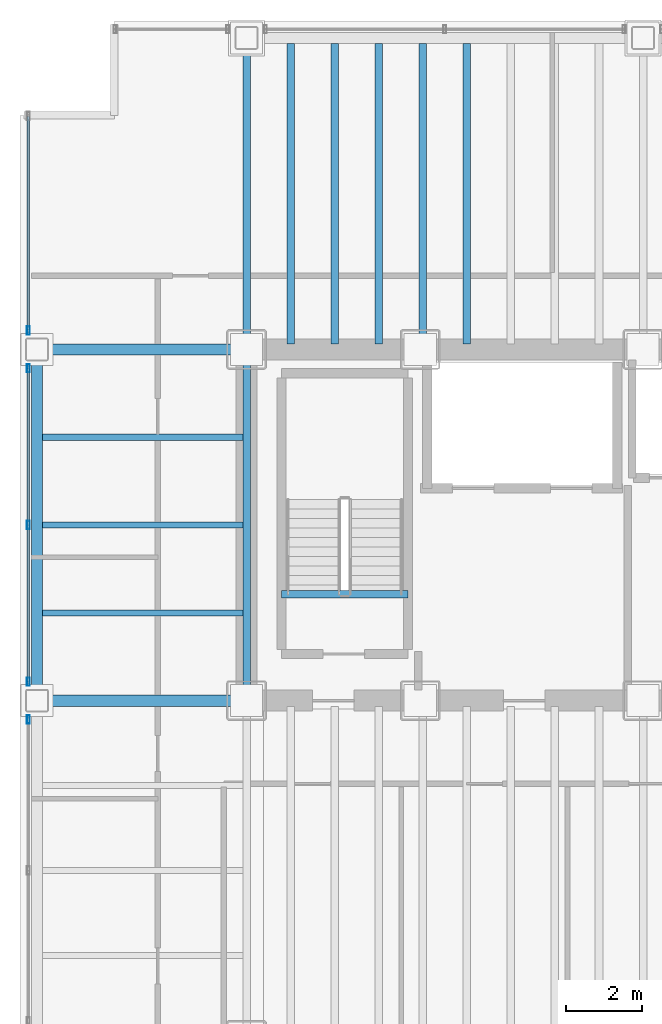
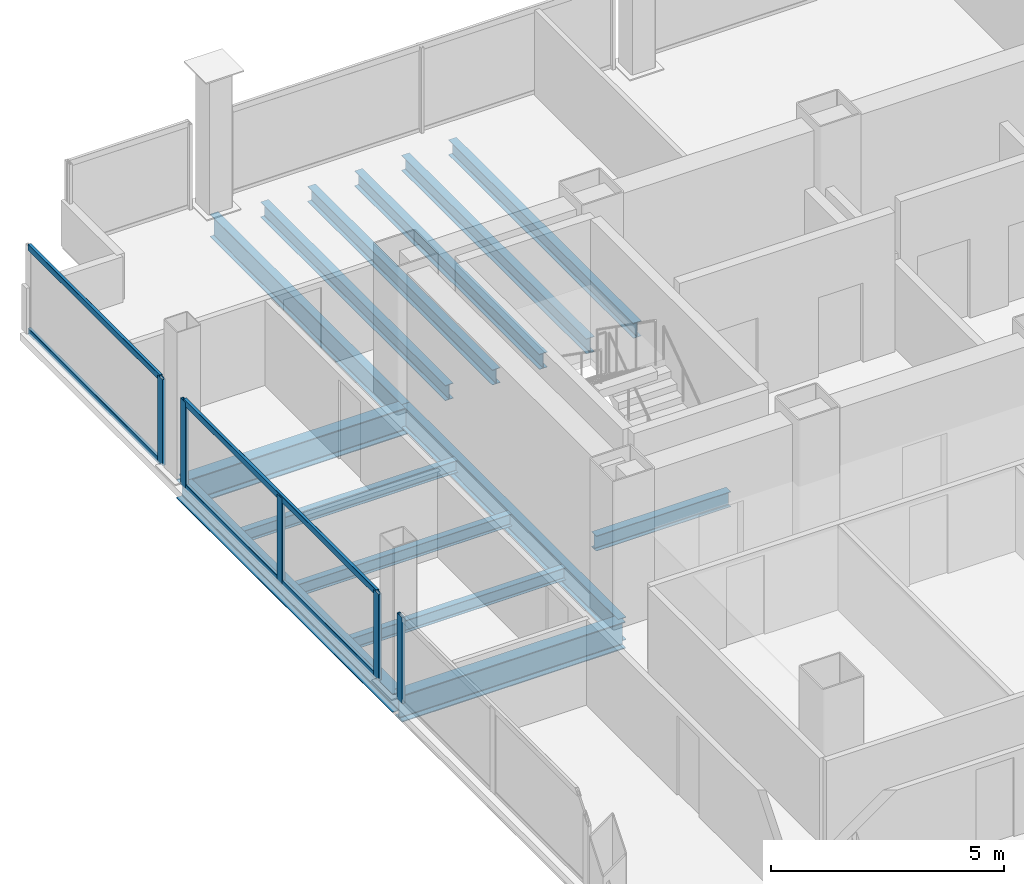
# One storey, part 6 of 21: 14 beams, 9 members, 3 elements without a shape of their own.
"""IFC4 building model written with IfcOpenShell, lengths in metres."""

from ifc_helpers import new_model, si_unit, direction, frame, origin, origin_2d, place, context, subcontext, project, spatial, hollow_rectangle, i_section, extrude, material, material_profile, profile_set, type_object, element, aggregate, save


model = new_model("IFC4")

# Units and contexts
model_context = context("Model", 3, precision=1e-05, world=origin(), true_north=direction((0.0, 1.0)))
body_context = subcontext(model_context, "Body", "Model", "MODEL_VIEW")
ifc_project = project(units=[si_unit("LENGTHUNIT", "METRE"), si_unit("AREAUNIT", "SQUARE_METRE"), si_unit("VOLUMEUNIT", "CUBIC_METRE"), si_unit("PLANEANGLEUNIT", "RADIAN"), si_unit("MASSUNIT", "GRAM", prefix="KILO")], contexts=[model_context])

# Site, building, storey
site_placement = place(None, origin())
site = spatial("IfcSite", under=ifc_project, at=site_placement, CompositionType="ELEMENT")
building_placement = place(site_placement, origin())
building = spatial("IfcBuilding", under=site, at=building_placement, Name="Noeulbin Bourse Tower", CompositionType="ELEMENT")
storey_placement = place(building_placement, frame((0.0, 0.0, 77.199951171875)))
storey = spatial("IfcBuildingStorey", under=building, at=storey_placement, Name="L19", CompositionType="ELEMENT", Elevation=77.199951171875)

# Beams
ifc_material_1 = material(Name="Steel S355", Category="steel")
ifc_material_profile_1 = material_profile(ifc_material_1, i_section(OverallWidth=0.199951171875, OverallDepth=0.60009765625, WebThickness=0.010986328125, FlangeThickness=0.01708984375, FilletRadius=0.02197265625, at=origin_2d()), Name="H-600x200x11x17", Category="LoadBearing")
ifc_profile_set_1 = profile_set([ifc_material_profile_1], Name="Steel S355")
beam_type_1 = type_object("IfcBeamType", Name="BM-GRD-600", PredefinedType="USERDEFINED", material=ifc_profile_set_1)
beam_1_placement = place(storey_placement, frame((13.5, 29.0, -0.47998046875), z_axis=(0.0, 1.0, 0.0), x_axis=(-1.0, 0.0, 0.0)))
element("IfcBeam", 1, at=beam_1_placement, inside=storey, type_object=beam_type_1, Name="Tower Primary Girder NS L19-1.3", ObjectType="GIRDER", PredefinedType="USERDEFINED", context=body_context, shape_type="SweptSolid", body=[
    extrude(i_section(OverallWidth=0.199951171875, OverallDepth=0.60009765625, WebThickness=0.010986328125, FlangeThickness=0.01708984375, FilletRadius=0.02197265625, at=origin_2d()), origin(), (0.0, 0.0, 1.0), 9.300048828125),
])
beam_2_placement = place(storey_placement, frame((13.5, 38.300048828125, -0.47998046875), z_axis=(0.0, 1.0, 0.0), x_axis=(-1.0, 0.0, 0.0)))
element("IfcBeam", 2, at=beam_2_placement, inside=storey, type_object=beam_type_1, Name="Tower Primary Girder NS L19-1.4", ObjectType="GIRDER", PredefinedType="USERDEFINED", context=body_context, shape_type="SweptSolid", body=[
    extrude(i_section(OverallWidth=0.199951171875, OverallDepth=0.60009765625, WebThickness=0.010986328125, FlangeThickness=0.01708984375, FilletRadius=0.02197265625, at=origin_2d()), origin(), (0.0, 0.0, 1.0), 8.25),
])
ifc_material_profile_2 = material_profile(ifc_material_1, i_section(OverallWidth=0.300048828125, OverallDepth=0.699951171875, WebThickness=0.012939453125, FlangeThickness=0.02392578125, FilletRadius=0.02392578125, at=origin_2d()), Name="H-700x300x13x24", Category="LoadBearing")
ifc_profile_set_2 = profile_set([ifc_material_profile_2], Name="Steel S355")
beam_type_2 = type_object("IfcBeamType", Name="BM-GRD-700", PredefinedType="USERDEFINED", material=ifc_profile_set_2)
for number, where, z_axis, x_axis, name in (
    (3, (7.949951171875, 29.0, -0.530029296875), (1.0, 0.0, 0.0), (0.0, 1.0, 0.0), "Tower Primary Girder EW L19-2.1"),
    (4, (7.949951171875, 38.300048828125, -0.530029296875), (1.0, 0.0, 0.0), (0.0, 1.0, 0.0), "Tower Primary Girder EW L19-3.1"),
):
    element("IfcBeam", number, at=place(storey_placement, frame(where, z_axis=z_axis, x_axis=x_axis)), inside=storey, type_object=beam_type_2, Name=name, ObjectType="GIRDER", PredefinedType="USERDEFINED", context=body_context, shape_type="SweptSolid", body=[
        extrude(i_section(OverallWidth=0.300048828125, OverallDepth=0.699951171875, WebThickness=0.012939453125, FlangeThickness=0.02392578125, FilletRadius=0.02392578125, at=origin_2d()), origin(), (0.0, 0.0, 1.0), 5.550048828125),
    ])
ifc_material_profile_3 = material_profile(ifc_material_1, i_section(OverallWidth=0.159912109375, OverallDepth=0.320068359375, WebThickness=0.006591796875, FlangeThickness=0.010009765625, FilletRadius=0.012939453125, at=origin_2d()), Name="H-320x160x6.5x10", Category="LoadBearing")
ifc_profile_set_3 = profile_set([ifc_material_profile_3], Name="Steel S355")
beam_type_3 = type_object("IfcBeamType", Name="BM-JST-320", PredefinedType="JOIST", material=ifc_profile_set_3)
for number, where, z_axis, x_axis, name in (
    (5, (8.10009765625, 31.324951171875, -0.33984375), (1.0, 0.0, 0.0), (0.0, 1.0, 0.0), "Wing Composite Joist L19-W73"),
    (6, (8.10009765625, 33.64990234375, -0.33984375), (1.0, 0.0, 0.0), (0.0, 1.0, 0.0), "Wing Composite Joist L19-W74"),
    (7, (8.10009765625, 35.97509765625, -0.33984375), (1.0, 0.0, 0.0), (0.0, 1.0, 0.0), "Wing Composite Joist L19-W75"),
):
    element("IfcBeam", number, at=place(storey_placement, frame(where, z_axis=z_axis, x_axis=x_axis)), inside=storey, type_object=beam_type_3, Name=name, PredefinedType="JOIST", context=body_context, shape_type="SweptSolid", body=[
        extrude(i_section(OverallWidth=0.159912109375, OverallDepth=0.320068359375, WebThickness=0.006591796875, FlangeThickness=0.010009765625, FilletRadius=0.012939453125, at=origin_2d()), origin(), (0.0, 0.0, 1.0), 5.2998046875),
    ])
ifc_material_profile_4 = material_profile(ifc_material_1, i_section(OverallWidth=0.199951171875, OverallDepth=0.39990234375, WebThickness=0.008056640625, FlangeThickness=0.012939453125, FilletRadius=0.01611328125, at=origin_2d()), Name="H-400x200x8x13", Category="LoadBearing")
ifc_profile_set_4 = profile_set([ifc_material_profile_4], Name="Steel S355")
beam_type_4 = type_object("IfcBeamType", Name="BM-SEC-400", PredefinedType="BEAM", material=ifc_profile_set_4)
for number, where, z_axis, x_axis, name in (
    (8, (14.666748046875, 38.449951171875, -0.3798828125), (0.0, 1.0, 0.0), (-1.0, 0.0, 0.0), "Tower Composite Joist L19-03"),
    (9, (15.833251953125, 38.449951171875, -0.3798828125), (0.0, 1.0, 0.0), (-1.0, 0.0, 0.0), "Tower Composite Joist L19-06"),
    (10, (17.0, 38.449951171875, -0.3798828125), (0.0, 1.0, 0.0), (-1.0, 0.0, 0.0), "Tower Composite Joist L19-09"),
    (11, (18.166748046875, 38.449951171875, -0.3798828125), (0.0, 1.0, 0.0), (-1.0, 0.0, 0.0), "Tower Composite Joist L19-12"),
    (12, (19.333251953125, 38.449951171875, -0.3798828125), (0.0, 1.0, 0.0), (-1.0, 0.0, 0.0), "Tower Composite Joist L19-15"),
):
    element("IfcBeam", number, at=place(storey_placement, frame(where, z_axis=z_axis, x_axis=x_axis)), inside=storey, type_object=beam_type_4, Name=name, PredefinedType="BEAM", context=body_context, shape_type="SweptSolid", body=[
        extrude(i_section(OverallWidth=0.199951171875, OverallDepth=0.39990234375, WebThickness=0.008056640625, FlangeThickness=0.012939453125, FilletRadius=0.01611328125, at=origin_2d()), origin(), (0.0, 0.0, 1.0), 7.949951171875),
    ])
beam_3_placement = place(storey_placement, frame((14.429931640625, 31.820068359375, -0.199951171875), z_axis=(1.0, 0.0, 0.0), x_axis=(0.0, 1.0, 0.0)))
element("IfcBeam", 13, at=beam_3_placement, inside=storey, type_object=beam_type_4, Name="Stair Threshold Trimmer Beam ST1-L19", PredefinedType="BEAM", context=body_context, shape_type="SweptSolid", body=[
    extrude(i_section(OverallWidth=0.199951171875, OverallDepth=0.39990234375, WebThickness=0.008056640625, FlangeThickness=0.012939453125, FilletRadius=0.01611328125, at=origin_2d()), origin(), (0.0, 0.0, 1.0), 3.340087890625),
])
ifc_material_profile_5 = material_profile(ifc_material_1, i_section(OverallWidth=0.300048828125, OverallDepth=0.488037109375, WebThickness=0.010986328125, FlangeThickness=0.01806640625, FilletRadius=0.02197265625, at=origin_2d()), Name="H-488x300x11x18", Category="LoadBearing")
ifc_profile_set_5 = profile_set([ifc_material_profile_5], Name="Steel S355")
beam_type_5 = type_object("IfcBeamType", Name="BM-SPN-488", PredefinedType="SPANDREL", material=ifc_profile_set_5)
beam_4_placement = place(storey_placement, frame((7.949951171875, 29.0, -0.424072265625), z_axis=(0.0, 1.0, 0.0), x_axis=(-1.0, 0.0, 0.0)))
element("IfcBeam", 14, at=beam_4_placement, inside=storey, type_object=beam_type_5, Name="West Spandrel L19-2", PredefinedType="SPANDREL", context=body_context, shape_type="SweptSolid", body=[
    extrude(i_section(OverallWidth=0.300048828125, OverallDepth=0.488037109375, WebThickness=0.010986328125, FlangeThickness=0.01806640625, FilletRadius=0.02197265625, at=origin_2d()), origin(), (0.0, 0.0, 1.0), 9.300048828125),
])

# Curtain wall, member
ifc_material_2 = material(Name="Dark Solar-Control Double Glazing", Category="glass")
curtain_wall_type = type_object("IfcCurtainWallType", Name="CW-SYS-2", PredefinedType="NOTDEFINED", material=ifc_material_2)
curtain_wall_1_placement = place(storey_placement, origin())
curtain_wall_1 = element("IfcCurtainWall", 15, at=curtain_wall_1_placement, inside=storey, type_object=curtain_wall_type, Name="Unitised Curtain Wall CW-L19-W-S2", PredefinedType="NOTDEFINED")
ifc_material_3 = material(Name="Anodised Aluminium 6063-T6", Category="aluminium")
ifc_material_profile_6 = material_profile(ifc_material_3, hollow_rectangle(XDim=0.074951171875, YDim=0.219970703125, WallThickness=0.0048828125, InnerFilletRadius=0.00244140625, OuterFilletRadius=0.0048828125, at=origin_2d()), Name="ALU-MULL-75x220x5", Category="LoadBearing")
ifc_profile_set_6 = profile_set([ifc_material_profile_6], Name="Anodised Aluminium 6063-T6")
member_type_1 = type_object("IfcMemberType", Name="CW-SYS-2-MUL", PredefinedType="MULLION", material=ifc_profile_set_6)
member_1_placement = place(storey_placement, frame((7.719970703125, 28.5, -0.02001953125), z_axis=(0.0, 0.0, 1.0), x_axis=(1.0, 0.0, 0.0)))
member_1 = element("IfcMember", 16, at=member_1_placement, type_object=member_type_1, Name="Curtain Wall Mullion CW-L19-W-S2-M02", PredefinedType="MULLION", context=body_context, shape_type="SweptSolid", body=[
    extrude(hollow_rectangle(XDim=0.074951171875, YDim=0.219970703125, WallThickness=0.0048828125, InnerFilletRadius=0.00244140625, OuterFilletRadius=0.0048828125, at=origin_2d()), origin(), (0.0, 0.0, 1.0), 2.260009765625),
])
aggregate(curtain_wall_1, [member_1])

# Curtain wall, members
curtain_wall_2_placement = place(storey_placement, origin())
curtain_wall_2 = element("IfcCurtainWall", 17, at=curtain_wall_2_placement, inside=storey, type_object=curtain_wall_type, Name="Unitised Curtain Wall CW-L19-W-S3", PredefinedType="NOTDEFINED")
member_2_placement = place(storey_placement, frame((7.719970703125, 29.5, -0.02001953125), z_axis=(0.0, 0.0, 1.0), x_axis=(1.0, 0.0, 0.0)))
member_2 = element("IfcMember", 18, at=member_2_placement, type_object=member_type_1, Name="Curtain Wall Mullion CW-L19-W-S3-M00", PredefinedType="MULLION", context=body_context, shape_type="SweptSolid", body=[
    extrude(hollow_rectangle(XDim=0.074951171875, YDim=0.219970703125, WallThickness=0.0048828125, InnerFilletRadius=0.00244140625, OuterFilletRadius=0.0048828125, at=origin_2d()), origin(), (0.0, 0.0, 1.0), 2.260009765625),
])
member_3_placement = place(storey_placement, frame((7.719970703125, 33.64990234375, -0.02001953125), z_axis=(0.0, 0.0, 1.0), x_axis=(1.0, 0.0, 0.0)))
member_3 = element("IfcMember", 19, at=member_3_placement, type_object=member_type_1, Name="Curtain Wall Mullion CW-L19-W-S3-M01", PredefinedType="MULLION", context=body_context, shape_type="SweptSolid", body=[
    extrude(hollow_rectangle(XDim=0.074951171875, YDim=0.219970703125, WallThickness=0.0048828125, InnerFilletRadius=0.00244140625, OuterFilletRadius=0.0048828125, at=origin_2d()), origin(), (0.0, 0.0, 1.0), 2.260009765625),
])
member_4_placement = place(storey_placement, frame((7.719970703125, 37.800048828125, -0.02001953125), z_axis=(0.0, 0.0, 1.0), x_axis=(1.0, 0.0, 0.0)))
member_4 = element("IfcMember", 20, at=member_4_placement, type_object=member_type_1, Name="Curtain Wall Mullion CW-L19-W-S3-M02", PredefinedType="MULLION", context=body_context, shape_type="SweptSolid", body=[
    extrude(hollow_rectangle(XDim=0.074951171875, YDim=0.219970703125, WallThickness=0.0048828125, InnerFilletRadius=0.00244140625, OuterFilletRadius=0.0048828125, at=origin_2d()), origin(), (0.0, 0.0, 1.0), 2.260009765625),
])

# Curtain wall, member
curtain_wall_3_placement = place(storey_placement, origin())
curtain_wall_3 = element("IfcCurtainWall", 21, at=curtain_wall_3_placement, inside=storey, type_object=curtain_wall_type, Name="Unitised Curtain Wall CW-L19-W-S4", PredefinedType="NOTDEFINED")
member_5_placement = place(storey_placement, frame((7.719970703125, 38.800048828125, -0.02001953125), z_axis=(0.0, 0.0, 1.0), x_axis=(1.0, 0.0, 0.0)))
member_5 = element("IfcMember", 22, at=member_5_placement, type_object=member_type_1, Name="Curtain Wall Mullion CW-L19-W-S4-M00", PredefinedType="MULLION", context=body_context, shape_type="SweptSolid", body=[
    extrude(hollow_rectangle(XDim=0.074951171875, YDim=0.219970703125, WallThickness=0.0048828125, InnerFilletRadius=0.00244140625, OuterFilletRadius=0.0048828125, at=origin_2d()), origin(), (0.0, 0.0, 1.0), 2.260009765625),
])

# Member
ifc_material_profile_7 = material_profile(ifc_material_3, hollow_rectangle(XDim=0.074951171875, YDim=0.159912109375, WallThickness=0.0048828125, InnerFilletRadius=0.00244140625, OuterFilletRadius=0.0048828125, at=origin_2d()), Name="ALU-TRAN-75x160x5", Category="LoadBearing")
ifc_profile_set_7 = profile_set([ifc_material_profile_7], Name="Anodised Aluminium 6063-T6")
member_type_2 = type_object("IfcMemberType", Name="CW-SYS-2-TRN", PredefinedType="USERDEFINED", material=ifc_profile_set_7)
member_6_placement = place(storey_placement, frame((7.719970703125, 29.510009765625, 0.010009765625), z_axis=(0.0, 1.0, 0.0), x_axis=(-1.0, 0.0, 0.0)))
member_6 = element("IfcMember", 23, at=member_6_placement, type_object=member_type_2, Name="Curtain Wall Transom CW-L19-W-S3-T00", ObjectType="TRANSOM", PredefinedType="USERDEFINED", context=body_context, shape_type="SweptSolid", body=[
    extrude(hollow_rectangle(XDim=0.074951171875, YDim=0.159912109375, WallThickness=0.0048828125, InnerFilletRadius=0.00244140625, OuterFilletRadius=0.0048828125, at=origin_2d()), origin(), (0.0, 0.0, 1.0), 8.280029296875),
])

member_7_placement = place(storey_placement, frame((7.719970703125, 29.510009765625, 2.2099609375), z_axis=(0.0, 1.0, 0.0), x_axis=(-1.0, 0.0, 0.0)))
member_7 = element("IfcMember", 24, at=member_7_placement, type_object=member_type_2, Name="Curtain Wall Transom CW-L19-W-S3-T01", ObjectType="TRANSOM", PredefinedType="USERDEFINED", context=body_context, shape_type="SweptSolid", body=[
    extrude(hollow_rectangle(XDim=0.074951171875, YDim=0.159912109375, WallThickness=0.0048828125, InnerFilletRadius=0.00244140625, OuterFilletRadius=0.0048828125, at=origin_2d()), origin(), (0.0, 0.0, 1.0), 8.280029296875),
])

aggregate(curtain_wall_2, [member_2, member_3, member_4, member_6, member_7])

member_8_placement = place(storey_placement, frame((7.719970703125, 38.81005859375, 0.010009765625), z_axis=(0.0, 1.0, 0.0), x_axis=(-1.0, 0.0, 0.0)))
member_8 = element("IfcMember", 25, at=member_8_placement, type_object=member_type_2, Name="Curtain Wall Transom CW-L19-W-S4-T00", ObjectType="TRANSOM", PredefinedType="USERDEFINED", context=body_context, shape_type="SweptSolid", body=[
    extrude(hollow_rectangle(XDim=0.074951171875, YDim=0.159912109375, WallThickness=0.0048828125, InnerFilletRadius=0.00244140625, OuterFilletRadius=0.0048828125, at=origin_2d()), origin(), (0.0, 0.0, 1.0), 5.659912109375),
])

member_9_placement = place(storey_placement, frame((7.719970703125, 38.81005859375, 2.2099609375), z_axis=(0.0, 1.0, 0.0), x_axis=(-1.0, 0.0, 0.0)))
member_9 = element("IfcMember", 26, at=member_9_placement, type_object=member_type_2, Name="Curtain Wall Transom CW-L19-W-S4-T01", ObjectType="TRANSOM", PredefinedType="USERDEFINED", context=body_context, shape_type="SweptSolid", body=[
    extrude(hollow_rectangle(XDim=0.074951171875, YDim=0.159912109375, WallThickness=0.0048828125, InnerFilletRadius=0.00244140625, OuterFilletRadius=0.0048828125, at=origin_2d()), origin(), (0.0, 0.0, 1.0), 5.659912109375),
])

aggregate(curtain_wall_3, [member_5, member_8, member_9])

save(model, "model.ifc")
